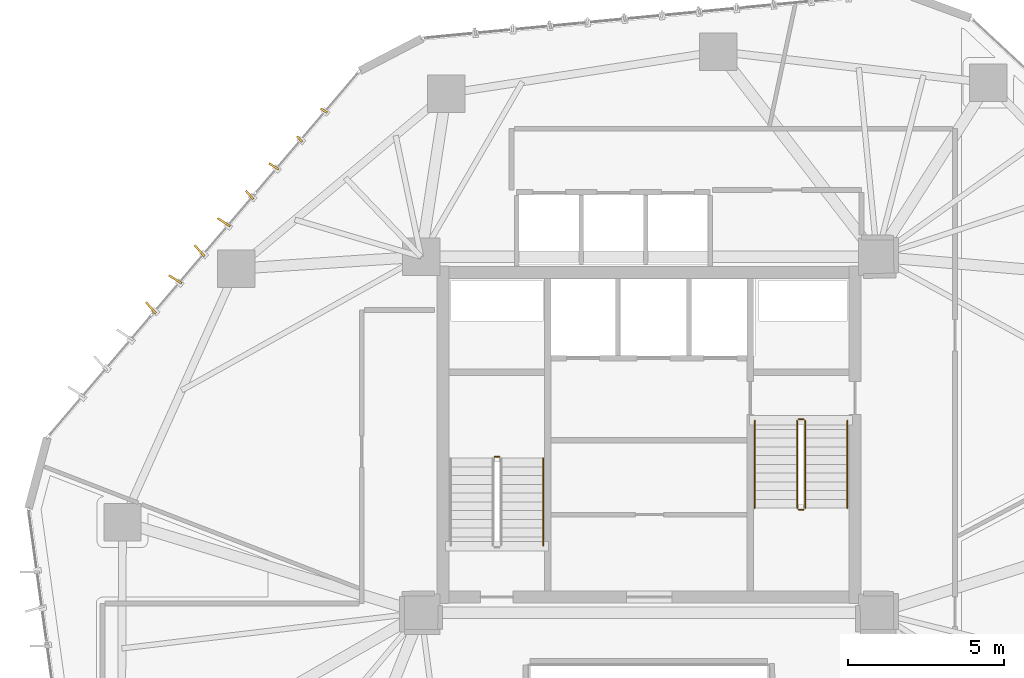
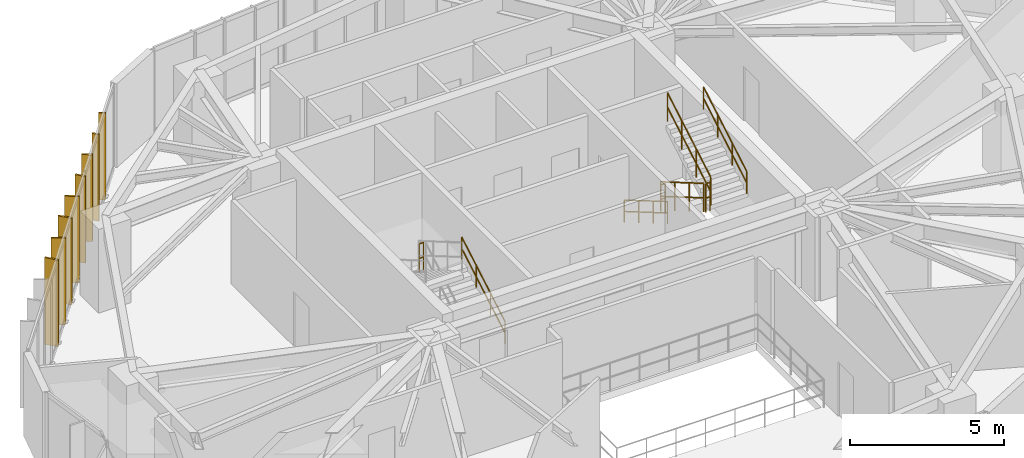
# One storey, part 21 of 22: 8 railings, 8 shading devices.
"""IFC4 building model written with IfcOpenShell, lengths in metres."""

from ifc_helpers import new_model, si_unit, direction, frame, origin, origin_2d, place, context, subcontext, project, spatial, rectangle, circle, extrude, source, transform, mapped, material, layer, layer_set, type_object, type_shapes, element, save


model = new_model("IFC4")

# Units and contexts
model_context = context("Model", 3, precision=1e-05, world=origin(), true_north=direction((0.0, 1.0)))
body_context = subcontext(model_context, "Body", "Model", "MODEL_VIEW")
ifc_project = project(units=[si_unit("LENGTHUNIT", "METRE"), si_unit("AREAUNIT", "SQUARE_METRE"), si_unit("VOLUMEUNIT", "CUBIC_METRE"), si_unit("PLANEANGLEUNIT", "RADIAN"), si_unit("MASSUNIT", "GRAM", prefix="KILO")], contexts=[model_context])

# Site, building, storey
site_placement = place(None, origin())
site = spatial("IfcSite", under=ifc_project, at=site_placement, CompositionType="ELEMENT")
building_placement = place(site_placement, origin())
building = spatial("IfcBuilding", under=site, at=building_placement, Name="Talar Marvaseh", CompositionType="ELEMENT")
storey_placement = place(building_placement, frame((0.0, 0.0, 107.39990234375)))
storey = spatial("IfcBuildingStorey", under=building, at=storey_placement, Name="L27", CompositionType="ELEMENT", Elevation=107.39990234375)

# Railings
ifc_material_1 = material(Name="Stainless Steel Grade 316", Category="steel")
railing_type_1 = type_object("IfcRailingType", Name="Brushed Stainless Wall Pitch Handrail 900", PredefinedType="HANDRAIL", material=ifc_material_1)
railing_1_placement = place(storey_placement, frame((22.610107421875, 27.64990234375, 0.163818359375)))
element("IfcRailing", 1, at=railing_1_placement, inside=storey, type_object=railing_type_1, Name="L27 ST-1 stair handrail 1", PredefinedType="HANDRAIL", context=body_context, shape_type="SweptSolid", body=[
    extrude(circle(Radius=0.02392578125, at=origin_2d()), frame((0.0, 0.0, 0.8759765625), z_axis=(0.0, 0.863393664356, 0.504530851732), x_axis=(-1.0, 0.0, 0.0)), (0.0, 0.0, 1.0), 3.2431640625),
    extrude(circle(Radius=0.02392578125, at=origin_2d()), frame((0.0, 0.0, 0.42578125), z_axis=(0.0, 0.863393664356, 0.504530851732), x_axis=(-1.0, 0.0, 0.0)), (0.0, 0.0, 1.0), 3.2431640625),
    extrude(circle(Radius=0.02099609375, at=origin_2d()), origin(), (0.0, 0.0, 1.0), 0.851806640625),
    extrude(circle(Radius=0.02099609375, at=origin_2d()), frame((0.0, 0.933349609375, 0.54541015625)), (0.0, 0.0, 1.0), 0.851806640625),
    extrude(circle(Radius=0.02099609375, at=origin_2d()), frame((0.0, 1.86669921875, 1.0908203125)), (0.0, 0.0, 1.0), 0.851806640625),
    extrude(circle(Radius=0.02099609375, at=origin_2d()), frame((0.0, 2.800048828125, 1.63623046875)), (0.0, 0.0, 1.0), 0.851806640625),
])
railing_2_placement = place(storey_placement, frame((29.389892578125, 31.64990234375, 0.163818359375)))
element("IfcRailing", 2, at=railing_2_placement, inside=storey, type_object=railing_type_1, Name="L27 ST-2 stair handrail 1", PredefinedType="HANDRAIL", context=body_context, shape_type="SweptSolid", body=[
    extrude(circle(Radius=0.02392578125, at=origin_2d()), frame((0.0, 0.0, 0.8759765625), z_axis=(0.0, -0.863374499697, 0.504563646405), x_axis=(1.0, 0.0, 0.0)), (0.0, 0.0, 1.0), 3.242919921875),
    extrude(circle(Radius=0.02392578125, at=origin_2d()), frame((0.0, 0.0, 0.42578125), z_axis=(0.0, -0.863374499697, 0.504563646405), x_axis=(1.0, 0.0, 0.0)), (0.0, 0.0, 1.0), 3.242919921875),
    extrude(circle(Radius=0.02099609375, at=origin_2d()), origin(), (0.0, 0.0, 1.0), 0.851806640625),
    extrude(circle(Radius=0.02099609375, at=origin_2d()), frame((0.0, -0.933349609375, 0.54541015625)), (0.0, 0.0, 1.0), 0.851806640625),
    extrude(circle(Radius=0.02099609375, at=origin_2d()), frame((0.0, -1.866455078125, 1.0908203125)), (0.0, 0.0, 1.0), 0.851806640625),
    extrude(circle(Radius=0.02099609375, at=origin_2d()), frame((0.0, -2.7998046875, 1.63623046875)), (0.0, 0.0, 1.0), 0.851806640625),
])
railing_3_placement = place(storey_placement, frame((32.35009765625, 28.85009765625, 1.963623046875)))
element("IfcRailing", 3, at=railing_3_placement, inside=storey, type_object=railing_type_1, Name="L27 ST-2 stair handrail 2", PredefinedType="HANDRAIL", context=body_context, shape_type="SweptSolid", body=[
    extrude(circle(Radius=0.02392578125, at=origin_2d()), frame((0.0, 0.0, 0.8759765625), z_axis=(0.0, 0.863341702679, 0.504619762213), x_axis=(-1.0, 0.0, 0.0)), (0.0, 0.0, 1.0), 3.242919921875),
    extrude(circle(Radius=0.02392578125, at=origin_2d()), frame((0.0, 0.0, 0.42578125), z_axis=(0.0, 0.863341702679, 0.504619762213), x_axis=(-1.0, 0.0, 0.0)), (0.0, 0.0, 1.0), 3.242919921875),
    extrude(circle(Radius=0.02099609375, at=origin_2d()), origin(), (0.0, 0.0, 1.0), 0.851806640625),
    extrude(circle(Radius=0.02099609375, at=origin_2d()), frame((0.0, 0.933349609375, 0.54541015625)), (0.0, 0.0, 1.0), 0.851806640625),
    extrude(circle(Radius=0.02099609375, at=origin_2d()), frame((0.0, 1.866455078125, 1.091064453125)), (0.0, 0.0, 1.0), 0.851806640625),
    extrude(circle(Radius=0.02099609375, at=origin_2d()), frame((0.0, 2.7998046875, 1.636474609375)), (0.0, 0.0, 1.0), 0.851806640625),
])
railing_type_2 = type_object("IfcRailingType", Name="Painted Steel Core Stair Well Guardrail 1150", PredefinedType="GUARDRAIL", material=ifc_material_1)
railing_4_placement = place(storey_placement, frame((21.2099609375, 30.5, 1.800048828125)))
element("IfcRailing", 4, at=railing_4_placement, inside=storey, type_object=railing_type_2, Name="L27 ST-1 stair guard 2", PredefinedType="GUARDRAIL", context=body_context, shape_type="SweptSolid", body=[
    extrude(circle(Radius=0.02392578125, at=origin_2d()), frame((0.0, 0.0, 1.1259765625), z_axis=(-1.0, 0.0, 0.0), x_axis=(0.0, -1.0, 0.0)), (0.0, 0.0, 1.0), 0.159912109375),
    extrude(circle(Radius=0.02392578125, at=origin_2d()), frame((0.0, 0.0, 0.55078125), z_axis=(-1.0, 0.0, 0.0), x_axis=(0.0, -1.0, 0.0)), (0.0, 0.0, 1.0), 0.159912109375),
    extrude(circle(Radius=0.02099609375, at=origin_2d()), origin(), (0.0, 0.0, 1.0), 1.101806640625),
    extrude(circle(Radius=0.02099609375, at=origin_2d()), frame((-0.159912109375, 0.0, 0.0)), (0.0, 0.0, 1.0), 1.101806640625),
])
railing_5_placement = place(storey_placement, frame((30.739990234375, 31.64990234375, 0.163818359375)))
element("IfcRailing", 5, at=railing_5_placement, inside=storey, type_object=railing_type_2, Name="L27 ST-2 stair guard 1", PredefinedType="GUARDRAIL", context=body_context, shape_type="SweptSolid", body=[
    extrude(circle(Radius=0.02392578125, at=origin_2d()), frame((0.0, 0.0, 1.1259765625), z_axis=(0.0, -0.863374499697, 0.504563646405), x_axis=(1.0, 0.0, 0.0)), (0.0, 0.0, 1.0), 3.242919921875),
    extrude(circle(Radius=0.02392578125, at=origin_2d()), frame((0.0, 0.0, 0.55078125), z_axis=(0.0, -0.863374499697, 0.504563646405), x_axis=(1.0, 0.0, 0.0)), (0.0, 0.0, 1.0), 3.242919921875),
    extrude(circle(Radius=0.02099609375, at=origin_2d()), origin(), (0.0, 0.0, 1.0), 1.101806640625),
    extrude(circle(Radius=0.02099609375, at=origin_2d()), frame((0.0, -0.933349609375, 0.54541015625)), (0.0, 0.0, 1.0), 1.101806640625),
    extrude(circle(Radius=0.02099609375, at=origin_2d()), frame((0.0, -1.866455078125, 1.0908203125)), (0.0, 0.0, 1.0), 1.101806640625),
    extrude(circle(Radius=0.02099609375, at=origin_2d()), frame((0.0, -2.7998046875, 1.63623046875)), (0.0, 0.0, 1.0), 1.101806640625),
])
railing_6_placement = place(storey_placement, frame((30.7900390625, 28.800048828125, 1.800048828125)))
element("IfcRailing", 6, at=railing_6_placement, inside=storey, type_object=railing_type_2, Name="L27 ST-2 stair guard 2", PredefinedType="GUARDRAIL", context=body_context, shape_type="SweptSolid", body=[
    extrude(circle(Radius=0.02392578125, at=origin_2d()), frame((0.0, 0.0, 1.1259765625), z_axis=(1.0, 0.0, 0.0), x_axis=(0.0, 1.0, 0.0)), (0.0, 0.0, 1.0), 0.159912109375),
    extrude(circle(Radius=0.02392578125, at=origin_2d()), frame((0.0, 0.0, 0.55078125), z_axis=(1.0, 0.0, 0.0), x_axis=(0.0, 1.0, 0.0)), (0.0, 0.0, 1.0), 0.159912109375),
    extrude(circle(Radius=0.02099609375, at=origin_2d()), origin(), (0.0, 0.0, 1.0), 1.101806640625),
    extrude(circle(Radius=0.02099609375, at=origin_2d()), frame((0.159912109375, 0.0, 0.0)), (0.0, 0.0, 1.0), 1.101806640625),
])
railing_7_placement = place(storey_placement, frame((31.0, 28.85009765625, 1.963623046875)))
element("IfcRailing", 7, at=railing_7_placement, inside=storey, type_object=railing_type_2, Name="L27 ST-2 stair guard 3", PredefinedType="GUARDRAIL", context=body_context, shape_type="SweptSolid", body=[
    extrude(circle(Radius=0.02392578125, at=origin_2d()), frame((0.0, 0.0, 1.1259765625), z_axis=(0.0, 0.863341702679, 0.504619762213), x_axis=(-1.0, 0.0, 0.0)), (0.0, 0.0, 1.0), 3.242919921875),
    extrude(circle(Radius=0.02392578125, at=origin_2d()), frame((0.0, 0.0, 0.55078125), z_axis=(0.0, 0.863341702679, 0.504619762213), x_axis=(-1.0, 0.0, 0.0)), (0.0, 0.0, 1.0), 3.242919921875),
    extrude(circle(Radius=0.02099609375, at=origin_2d()), origin(), (0.0, 0.0, 1.0), 1.101806640625),
    extrude(circle(Radius=0.02099609375, at=origin_2d()), frame((0.0, 0.933349609375, 0.54541015625)), (0.0, 0.0, 1.0), 1.101806640625),
    extrude(circle(Radius=0.02099609375, at=origin_2d()), frame((0.0, 1.866455078125, 1.091064453125)), (0.0, 0.0, 1.0), 1.101806640625),
    extrude(circle(Radius=0.02099609375, at=origin_2d()), frame((0.0, 2.7998046875, 1.636474609375)), (0.0, 0.0, 1.0), 1.101806640625),
])
railing_8_placement = place(storey_placement, frame((30.7900390625, 31.699951171875, 0.0)))
element("IfcRailing", 8, at=railing_8_placement, inside=storey, type_object=railing_type_2, Name="L27 ST-2 stair guard 4", PredefinedType="GUARDRAIL", context=body_context, shape_type="SweptSolid", body=[
    extrude(circle(Radius=0.02392578125, at=origin_2d()), frame((0.0, 0.0, 1.1259765625), z_axis=(1.0, 0.0, 0.0), x_axis=(0.0, 1.0, 0.0)), (0.0, 0.0, 1.0), 0.159912109375),
    extrude(circle(Radius=0.02392578125, at=origin_2d()), frame((0.0, 0.0, 0.55078125), z_axis=(1.0, 0.0, 0.0), x_axis=(0.0, 1.0, 0.0)), (0.0, 0.0, 1.0), 0.159912109375),
    extrude(circle(Radius=0.02099609375, at=origin_2d()), origin(), (0.0, 0.0, 1.0), 1.101806640625),
    extrude(circle(Radius=0.02099609375, at=origin_2d()), frame((0.159912109375, 0.0, 0.0)), (0.0, 0.0, 1.0), 1.101806640625),
])

# Shading devices
ifc_material_2 = material(Name="Anodised Champagne Bronze Aluminium", Category="aluminium")
ifc_layer_1 = layer(ifc_material_2, 0.06494140625)
ifc_layer_set_1 = layer_set([ifc_layer_1], Name="Anodised Champagne Bronze Aluminium")
shading_device_type_1 = type_object("IfcShadingDeviceType", Name="Sawtooth Champagne Bronze Vertical Fin 240", PredefinedType="USERDEFINED", material=ifc_layer_set_1)
shared_shape_1 = source(origin(), body_context, "Body", "SweptSolid", [
    extrude(rectangle(XDim=0.239990234375, YDim=0.06494140625, at=origin_2d()), origin(), (0.0, 0.0, 1.0), 3.429931640625),
])
type_shapes(shading_device_type_1, [shared_shape_1])
for number, where, z_axis, x_axis, name in (
    (9, (14.810546875, 40.66796875, -0.11962890625), (0.0, 0.0, 1.0), (-0.663534575496, 0.748145618928, 0.0), "L27 Sawtooth Vertical Solar Fin"),
    (10, (15.588623046875, 41.581298828125, -0.11962890625), (0.0, 0.0, 1.0), (-0.844047251522, 0.536268810577, 0.0), "L27 Sawtooth Vertical Solar Fin"),
):
    element("IfcShadingDevice", number, at=place(storey_placement, frame(where, z_axis=z_axis, x_axis=x_axis)), inside=storey, type_object=shading_device_type_1, Name=name, ObjectType="FIN", PredefinedType="USERDEFINED", context=body_context, shape_type="MappedRepresentation", body=[
        mapped(shared_shape_1, transform((0.0, 0.0, 0.0), x_axis=(1.0, 0.0, 0.0), y_axis=(0.0, 1.0, 0.0), z_axis=(0.0, 0.0, 1.0), scale=1.0)),
    ])
ifc_layer_2 = layer(ifc_material_2, 0.06494140625)
ifc_layer_set_2 = layer_set([ifc_layer_2], Name="Anodised Champagne Bronze Aluminium")
shading_device_type_2 = type_object("IfcShadingDeviceType", Name="Sawtooth Champagne Bronze Vertical Fin 360", PredefinedType="USERDEFINED", material=ifc_layer_set_2)
shared_shape_2 = source(origin(), body_context, "Body", "SweptSolid", [
    extrude(rectangle(XDim=0.360107421875, YDim=0.06494140625, at=origin_2d()), origin(), (0.0, 0.0, 1.0), 3.429931640625),
])
type_shapes(shading_device_type_2, [shared_shape_2])
for number, where, z_axis, x_axis, name in (
    (11, (13.208251953125, 38.8798828125, -0.11962890625), (0.0, 0.0, 1.0), (-0.663534575496, 0.748145618928, 0.0), "L27 Sawtooth Vertical Solar Fin"),
    (12, (13.986572265625, 39.79345703125, -0.11962890625), (0.0, 0.0, 1.0), (-0.844047251522, 0.536268810577, 0.0), "L27 Sawtooth Vertical Solar Fin"),
):
    element("IfcShadingDevice", number, at=place(storey_placement, frame(where, z_axis=z_axis, x_axis=x_axis)), inside=storey, type_object=shading_device_type_2, Name=name, ObjectType="FIN", PredefinedType="USERDEFINED", context=body_context, shape_type="MappedRepresentation", body=[
        mapped(shared_shape_2, transform((0.0, 0.0, 0.0), x_axis=(1.0, 0.0, 0.0), y_axis=(0.0, 1.0, 0.0), z_axis=(0.0, 0.0, 1.0), scale=1.0)),
    ])
ifc_layer_3 = layer(ifc_material_2, 0.06494140625)
ifc_layer_set_3 = layer_set([ifc_layer_3], Name="Anodised Champagne Bronze Aluminium")
shading_device_type_3 = type_object("IfcShadingDeviceType", Name="Sawtooth Champagne Bronze Vertical Fin 480", PredefinedType="USERDEFINED", material=ifc_layer_set_3)
shared_shape_3 = source(origin(), body_context, "Body", "SweptSolid", [
    extrude(rectangle(XDim=0.47998046875, YDim=0.06494140625, at=origin_2d()), origin(), (0.0, 0.0, 1.0), 3.429931640625),
])
type_shapes(shading_device_type_3, [shared_shape_3])
for number, where, z_axis, x_axis, name in (
    (13, (10.049560546875, 35.265380859375, -0.11962890625), (0.0, 0.0, 1.0), (-0.663534575496, 0.748145618928, 0.0), "L27 Sawtooth Vertical Solar Fin"),
    (14, (10.827880859375, 36.1787109375, -0.11962890625), (0.0, 0.0, 1.0), (-0.844047251522, 0.536268810577, 0.0), "L27 Sawtooth Vertical Solar Fin"),
    (15, (11.606201171875, 37.092041015625, -0.11962890625), (0.0, 0.0, 1.0), (-0.663534575496, 0.748145618928, 0.0), "L27 Sawtooth Vertical Solar Fin"),
    (16, (12.384521484375, 38.005615234375, -0.11962890625), (0.0, 0.0, 1.0), (-0.844047251522, 0.536268810577, 0.0), "L27 Sawtooth Vertical Solar Fin"),
):
    element("IfcShadingDevice", number, at=place(storey_placement, frame(where, z_axis=z_axis, x_axis=x_axis)), inside=storey, type_object=shading_device_type_3, Name=name, ObjectType="FIN", PredefinedType="USERDEFINED", context=body_context, shape_type="MappedRepresentation", body=[
        mapped(shared_shape_3, transform((0.0, 0.0, 0.0), x_axis=(1.0, 0.0, 0.0), y_axis=(0.0, 1.0, 0.0), z_axis=(0.0, 0.0, 1.0), scale=1.0)),
    ])

save(model, "model.ifc")
